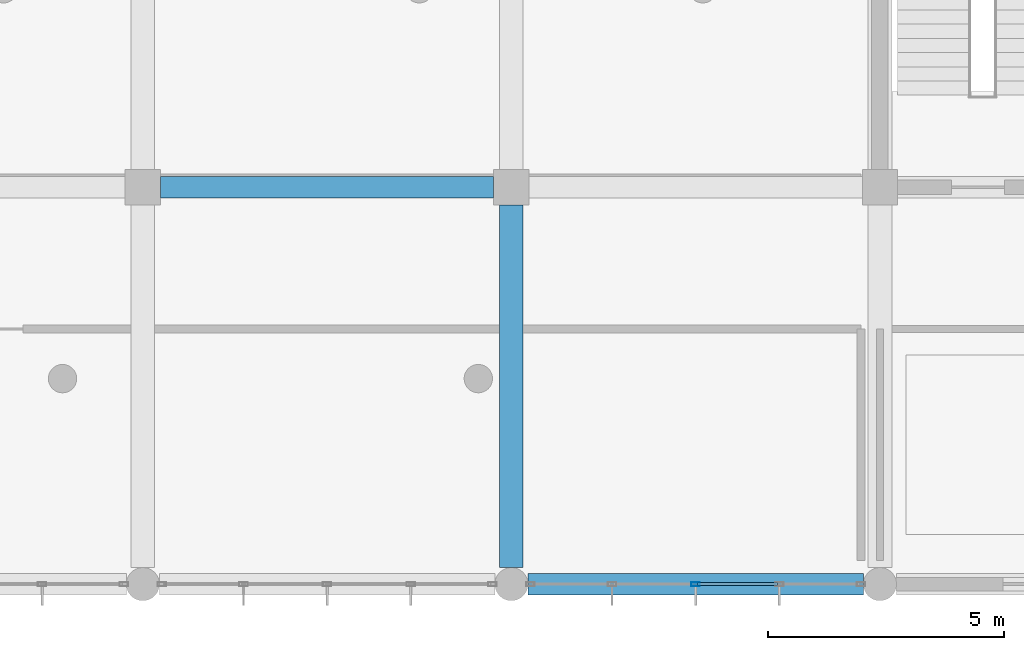
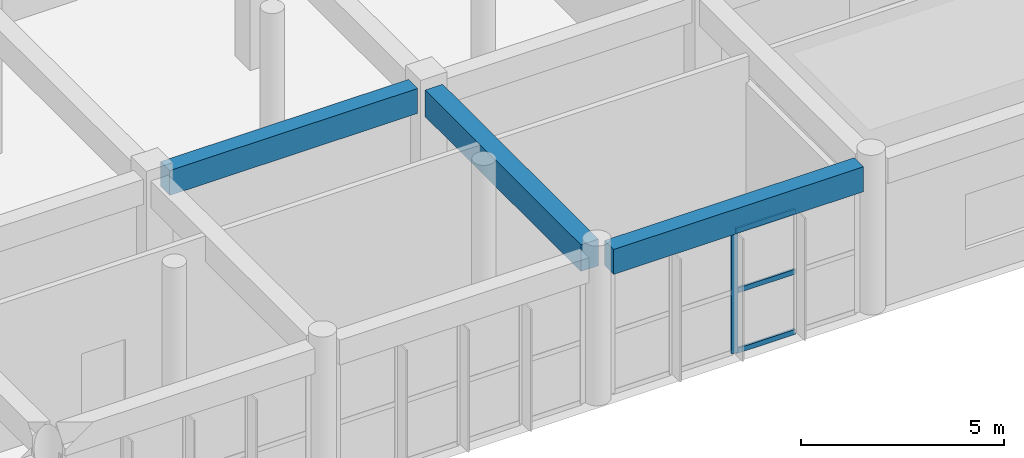
# One storey, part 15 of 175: 4 members, 3 beams, 1 element without a shape of its own.
"""IFC4 building model written with IfcOpenShell, lengths in metres."""

from ifc_helpers import new_model, si_unit, direction, frame, origin, origin_2d, place, context, subcontext, project, spatial, rectangle, hollow_rectangle, extrude, material, layer, layer_set, material_profile, profile_set, type_object, element, aggregate, save


model = new_model("IFC4")

# Units and contexts
model_context = context("Model", 3, precision=1e-05, world=origin(), true_north=direction((0.0, 1.0)))
body_context = subcontext(model_context, "Body", "Model", "MODEL_VIEW")
ifc_project = project(units=[si_unit("LENGTHUNIT", "METRE"), si_unit("AREAUNIT", "SQUARE_METRE"), si_unit("VOLUMEUNIT", "CUBIC_METRE"), si_unit("PLANEANGLEUNIT", "RADIAN"), si_unit("MASSUNIT", "GRAM", prefix="KILO")], contexts=[model_context])

# Site, building, storey
site_placement = place(None, origin())
site = spatial("IfcSite", under=ifc_project, at=site_placement, CompositionType="ELEMENT")
building_placement = place(site_placement, origin())
building = spatial("IfcBuilding", under=site, at=building_placement, Name="Zizhar Promenade General Hospital", CompositionType="ELEMENT")
storey_placement = place(building_placement, frame((0.0, 0.0, 4.800048828125)))
storey = spatial("IfcBuildingStorey", under=building, at=storey_placement, Name="L01", CompositionType="ELEMENT", Elevation=4.800048828125)

# Beams
ifc_material_1 = material(Name="Concrete C35/45", Category="concrete")
ifc_material_profile_1 = material_profile(ifc_material_1, rectangle(XDim=0.449951171875, YDim=0.75, at=origin_2d()))
ifc_profile_set_1 = profile_set([ifc_material_profile_1], Name="Concrete C35/45")
beam_type_1 = type_object("IfcBeamType", Name="BM-RC-450x750", PredefinedType="BEAM", material=ifc_profile_set_1)
beam_1_placement = place(storey_placement, frame((31.574951171875, 8.39990234375, 4.094970703125), z_axis=(1.0, 0.0, 0.0), x_axis=(0.0, 1.0, 0.0)))
element("IfcBeam", 1, at=beam_1_placement, inside=storey, type_object=beam_type_1, Name="Grid Beam X L01 (4-1)", PredefinedType="BEAM", context=body_context, shape_type="SweptSolid", body=[
    extrude(rectangle(XDim=0.449951171875, YDim=0.75, at=origin_2d()), origin(), (0.0, 0.0, 1.0), 7.050048828125),
])
beam_2_placement = place(storey_placement, frame((39.35009765625, 0.0, 4.094970703125), z_axis=(1.0, 0.0, 0.0), x_axis=(0.0, 1.0, 0.0)))
element("IfcBeam", 2, at=beam_2_placement, inside=storey, type_object=beam_type_1, Name="Grid Beam X L01 (5-0)", PredefinedType="BEAM", context=body_context, shape_type="SweptSolid", body=[
    extrude(rectangle(XDim=0.449951171875, YDim=0.75, at=origin_2d()), origin(), (0.0, 0.0, 1.0), 7.099853515625),
])
ifc_material_2 = material(Name="Concrete C35/45", Category="concrete")
ifc_material_profile_2 = material_profile(ifc_material_2, rectangle(XDim=0.5, YDim=0.800048828125, at=origin_2d()))
ifc_profile_set_2 = profile_set([ifc_material_profile_2], Name="Concrete C35/45")
beam_type_2 = type_object("IfcBeamType", Name="BM-RC-500x800", PredefinedType="BEAM", material=ifc_profile_set_2)
beam_3_placement = place(storey_placement, frame((39.0, 0.35009765625, 4.070068359375), z_axis=(0.0, 1.0, 0.0), x_axis=(-1.0, 0.0, 0.0)))
element("IfcBeam", 3, at=beam_3_placement, inside=storey, type_object=beam_type_2, Name="Grid Beam Y L01 (5-0)", PredefinedType="BEAM", context=body_context, shape_type="SweptSolid", body=[
    extrude(rectangle(XDim=0.5, YDim=0.800048828125, at=origin_2d()), origin(), (0.0, 0.0, 1.0), 7.6748046875),
])

# Curtain wall, members
ifc_material_3 = material(Name="Anodised aluminium 6063-T6 and low-E glass", Category="aluminium")
ifc_layer = layer(ifc_material_3, 0.159912109375)
ifc_layer_set = layer_set([ifc_layer], Name="Anodised aluminium 6063-T6 and low-E glass")
curtain_wall_type = type_object("IfcCurtainWallType", Name="CW-DT-MOD1", PredefinedType="NOTDEFINED", material=ifc_layer_set)
curtain_wall_placement = place(storey_placement, origin())
curtain_wall = element("IfcCurtainWall", 4, at=curtain_wall_placement, inside=storey, type_object=curtain_wall_type, Name="Riverfront Clinical Curtain Wall L01-4", PredefinedType="NOTDEFINED")
ifc_material_4 = material(Name="Anodised aluminium 6063-T6", Category="aluminium")
ifc_material_profile_3 = material_profile(ifc_material_4, hollow_rectangle(XDim=0.080078125, YDim=0.179931640625, WallThickness=0.0048828125, at=origin_2d()))
ifc_profile_set_3 = profile_set([ifc_material_profile_3], Name="Anodised aluminium 6063-T6")
member_type_1 = type_object("IfcMemberType", Name="CWM-ALU-180x80", PredefinedType="MULLION", material=ifc_profile_set_3)
member_1_placement = place(storey_placement, frame((42.89990234375, 0.0, 0.0), z_axis=(0.0, 0.0, 1.0), x_axis=(0.0, -1.0, 0.0)))
member_1 = element("IfcMember", 5, at=member_1_placement, type_object=member_type_1, Name="CW-07 mullion 3", PredefinedType="MULLION", context=body_context, shape_type="SweptSolid", body=[
    extrude(hollow_rectangle(XDim=0.080078125, YDim=0.179931640625, WallThickness=0.0048828125, at=origin_2d()), origin(), (0.0, 0.0, 1.0), 3.679931640625),
])
ifc_material_5 = material(Name="Anodised aluminium 6063-T6", Category="aluminium")
ifc_material_profile_4 = material_profile(ifc_material_5, hollow_rectangle(XDim=0.06005859375, YDim=0.14990234375, WallThickness=0.00390625, at=origin_2d()))
ifc_profile_set_4 = profile_set([ifc_material_profile_4], Name="Anodised aluminium 6063-T6")
member_type_2 = type_object("IfcMemberType", Name="CWT-ALU-150x60", PredefinedType="USERDEFINED", material=ifc_profile_set_4)
member_2_placement = place(storey_placement, frame((44.6298828125, 0.0, 0.030029296875), z_axis=(-1.0, 0.0, 0.0), x_axis=(0.0, -1.0, 0.0)))
member_2 = element("IfcMember", 6, at=member_2_placement, type_object=member_type_2, Name="CW-07 transom 2.1", ObjectType="TRANSOM", PredefinedType="USERDEFINED", context=body_context, shape_type="SweptSolid", body=[
    extrude(hollow_rectangle(XDim=0.06005859375, YDim=0.14990234375, WallThickness=0.00390625, at=origin_2d()), origin(), (0.0, 0.0, 1.0), 1.68994140625),
])
member_3_placement = place(storey_placement, frame((44.6298828125, 0.0, 1.83984375), z_axis=(-1.0, 0.0, 0.0), x_axis=(0.0, -1.0, 0.0)))
member_3 = element("IfcMember", 7, at=member_3_placement, type_object=member_type_2, Name="CW-07 transom 2.2", ObjectType="TRANSOM", PredefinedType="USERDEFINED", context=body_context, shape_type="SweptSolid", body=[
    extrude(hollow_rectangle(XDim=0.06005859375, YDim=0.14990234375, WallThickness=0.00390625, at=origin_2d()), origin(), (0.0, 0.0, 1.0), 1.68994140625),
])
member_4_placement = place(storey_placement, frame((44.6298828125, 0.0, 3.64990234375), z_axis=(-1.0, 0.0, 0.0), x_axis=(0.0, -1.0, 0.0)))
member_4 = element("IfcMember", 8, at=member_4_placement, type_object=member_type_2, Name="CW-07 transom 2.3", ObjectType="TRANSOM", PredefinedType="USERDEFINED", context=body_context, shape_type="SweptSolid", body=[
    extrude(hollow_rectangle(XDim=0.06005859375, YDim=0.14990234375, WallThickness=0.00390625, at=origin_2d()), origin(), (0.0, 0.0, 1.0), 1.68994140625),
])
aggregate(curtain_wall, [member_1, member_2, member_3, member_4])

save(model, "model.ifc")
